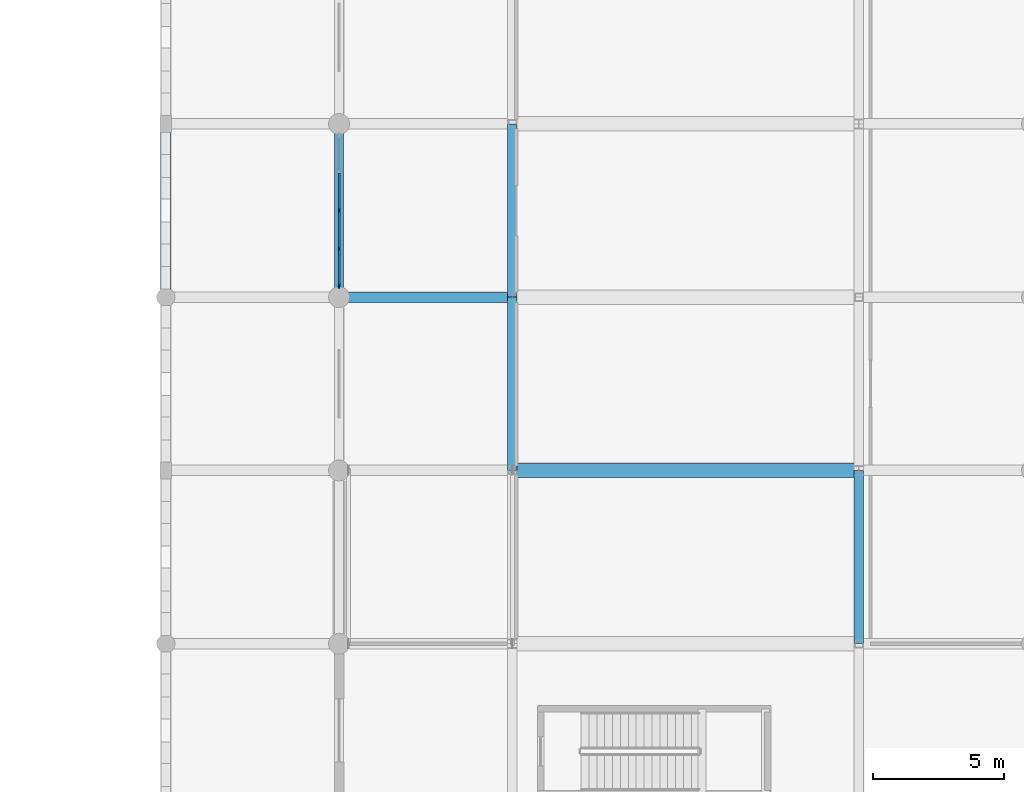
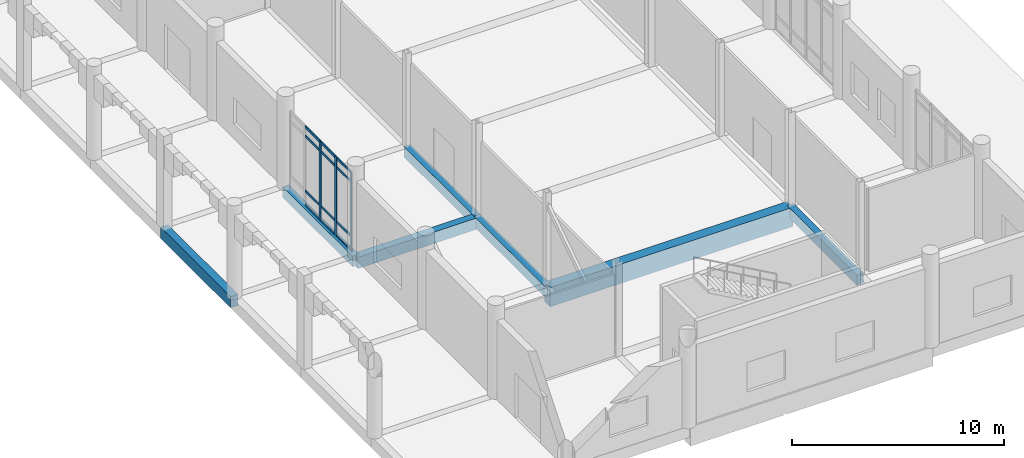
# One storey, part 8 of 72: 15 members, 7 beams, 1 element without a shape of its own.
"""IFC4 building model written with IfcOpenShell, lengths in metres."""

from ifc_helpers import new_model, si_unit, direction, frame, origin, origin_2d, place, context, subcontext, project, spatial, rectangle, extrude, material, material_profile, profile_set, type_object, element, aggregate, save


model = new_model("IFC4")

# Units and contexts
model_context = context("Model", 3, precision=1e-05, world=origin(), true_north=direction((0.0, 1.0)))
body_context = subcontext(model_context, "Body", "Model", "MODEL_VIEW")
ifc_project = project(units=[si_unit("LENGTHUNIT", "METRE"), si_unit("AREAUNIT", "SQUARE_METRE"), si_unit("VOLUMEUNIT", "CUBIC_METRE"), si_unit("PLANEANGLEUNIT", "RADIAN"), si_unit("MASSUNIT", "GRAM", prefix="KILO")], contexts=[model_context])

# Site, building, storey
site_placement = place(None, origin())
site = spatial("IfcSite", under=ifc_project, at=site_placement, CompositionType="ELEMENT")
building_placement = place(site_placement, origin())
building = spatial("IfcBuilding", under=site, at=building_placement, Name="Dornvale Research Institute", CompositionType="ELEMENT")
storey_placement = place(building_placement, origin())
storey = spatial("IfcBuildingStorey", under=building, at=storey_placement, Name="L00", CompositionType="ELEMENT", Elevation=0.0)

# Beams
ifc_material_1 = material(Name="Concrete f'c 45 MPa (C35/45)", Category="concrete")
ifc_material_profile_1 = material_profile(ifc_material_1, rectangle(XDim=0.35009765625, YDim=0.60009765625, at=origin_2d()), Name="RC 350x600")
ifc_profile_set_1 = profile_set([ifc_material_profile_1], Name="Concrete f'c 45 MPa (C35/45)")
beam_type_1 = type_object("IfcBeamType", Name="Beam_RC350x600_Floor", PredefinedType="BEAM", material=ifc_profile_set_1)
beam_1_placement = place(storey_placement, frame((39.60009765625, 59.39990234375, -0.300048828125), z_axis=(0.0, 1.0, 0.0), x_axis=(-1.0, 0.0, 0.0)))
element("IfcBeam", 1, at=beam_1_placement, inside=storey, type_object=beam_type_1, Name="L00 transverse girder #243", PredefinedType="BEAM", context=body_context, shape_type="SweptSolid", body=[
    extrude(rectangle(XDim=0.35009765625, YDim=0.60009765625, at=origin_2d()), origin(), (0.0, 0.0, 1.0), 6.60009765625),
])
beam_2_placement = place(storey_placement, frame((46.199951171875, 52.800048828125, -0.300048828125), z_axis=(0.0, 1.0, 0.0), x_axis=(-1.0, 0.0, 0.0)))
element("IfcBeam", 2, at=beam_2_placement, inside=storey, type_object=beam_type_1, Name="L00 transverse girder #249", PredefinedType="BEAM", context=body_context, shape_type="SweptSolid", body=[
    extrude(rectangle(XDim=0.35009765625, YDim=0.60009765625, at=origin_2d()), origin(), (0.0, 0.0, 1.0), 6.599853515625),
])
for number, where, z_axis, x_axis, name in (
    (3, (46.199951171875, 59.39990234375, -0.300048828125), (0.0, 1.0, 0.0), (-1.0, 0.0, 0.0), "L00 transverse girder #250"),
    (4, (59.39990234375, 46.199951171875, -0.300048828125), (0.0, 1.0, 0.0), (-1.0, 0.0, 0.0), "L00 transverse girder #255"),
):
    element("IfcBeam", number, at=place(storey_placement, frame(where, z_axis=z_axis, x_axis=x_axis)), inside=storey, type_object=beam_type_1, Name=name, PredefinedType="BEAM", context=body_context, shape_type="SweptSolid", body=[
        extrude(rectangle(XDim=0.35009765625, YDim=0.60009765625, at=origin_2d()), origin(), (0.0, 0.0, 1.0), 6.60009765625),
    ])
ifc_material_2 = material(Name="Concrete f'c 45 MPa (C35/45)", Category="concrete")
ifc_material_profile_2 = material_profile(ifc_material_2, rectangle(XDim=0.39990234375, YDim=0.64990234375, at=origin_2d()), Name="RC 400x650")
ifc_profile_set_2 = profile_set([ifc_material_profile_2], Name="Concrete f'c 45 MPa (C35/45)")
beam_type_2 = type_object("IfcBeamType", Name="Beam_RC400x650_Floor", PredefinedType="BEAM", material=ifc_profile_set_2)
beam_3_placement = place(storey_placement, frame((39.60009765625, 59.39990234375, -0.324951171875), z_axis=(1.0, 0.0, 0.0), x_axis=(0.0, 1.0, 0.0)))
element("IfcBeam", 5, at=beam_3_placement, inside=storey, type_object=beam_type_2, Name="L00 primary girder #225", PredefinedType="BEAM", context=body_context, shape_type="SweptSolid", body=[
    extrude(rectangle(XDim=0.39990234375, YDim=0.64990234375, at=origin_2d()), origin(), (0.0, 0.0, 1.0), 6.599853515625),
])
beam_4_placement = place(storey_placement, frame((33.0, 59.39990234375, -0.324951171875), z_axis=(0.0, 1.0, 0.0), x_axis=(-1.0, 0.0, 0.0)))
element("IfcBeam", 6, at=beam_4_placement, inside=storey, type_object=beam_type_2, Name="L00 arcade grade beam #1872", PredefinedType="BEAM", context=body_context, shape_type="SweptSolid", body=[
    extrude(rectangle(XDim=0.39990234375, YDim=0.64990234375, at=origin_2d()), origin(), (0.0, 0.0, 1.0), 6.60009765625),
])
ifc_material_3 = material(Name="Concrete f'c 45 MPa (C35/45)", Category="concrete")
ifc_material_profile_3 = material_profile(ifc_material_3, rectangle(XDim=0.550048828125, YDim=1.10009765625, at=origin_2d()), Name="RC 550x1100")
ifc_profile_set_3 = profile_set([ifc_material_profile_3], Name="Concrete f'c 45 MPa (C35/45)")
beam_type_3 = type_object("IfcBeamType", Name="Beam_RC550x1100_Girder", PredefinedType="BEAM", material=ifc_profile_set_3)
beam_5_placement = place(storey_placement, frame((46.199951171875, 52.800048828125, -0.550048828125), z_axis=(1.0, 0.0, 0.0), x_axis=(0.0, 1.0, 0.0)))
element("IfcBeam", 7, at=beam_5_placement, inside=storey, type_object=beam_type_3, Name="L00 primary girder #223", PredefinedType="BEAM", context=body_context, shape_type="SweptSolid", body=[
    extrude(rectangle(XDim=0.550048828125, YDim=1.10009765625, at=origin_2d()), origin(), (0.0, 0.0, 1.0), 13.199951171875),
])

# Curtain wall, members
ifc_material_4 = material(Name="Low-E Argon Double Insulating Glazing Unit", Category="glass")
curtain_wall_type = type_object("IfcCurtainWallType", Name="UnitisedCurtainWall_V2_5810x4550", PredefinedType="USERDEFINED", material=ifc_material_4)
curtain_wall_placement = place(storey_placement, origin())
curtain_wall = element("IfcCurtainWall", 8, at=curtain_wall_placement, inside=storey, type_object=curtain_wall_type, Name="L00 V2 unitised curtain wall CW-01 #1", ObjectType="UNITISED CURTAIN WALL", PredefinedType="USERDEFINED")
ifc_material_5 = material(Name="Anodized Aluminum AA 6063-T6 Thermally Broken Frame", Category="aluminium")
ifc_material_profile_4 = material_profile(ifc_material_5, rectangle(XDim=0.06494140625, YDim=0.1650390625, at=origin_2d()), Name="ALU MULLION 65x165")
ifc_profile_set_4 = profile_set([ifc_material_profile_4], Name="Anodized Aluminum AA 6063-T6 Thermally Broken Frame")
member_type_1 = type_object("IfcMemberType", Name="Mullion_Atrium_65x165", PredefinedType="MULLION", material=ifc_profile_set_4)
member_1_placement = place(storey_placement, frame((39.60009765625, 59.827392578125, 0.0), z_axis=(0.0, 0.0, 1.0), x_axis=(-1.0, 0.0, 0.0)))
member_1 = element("IfcMember", 9, at=member_1_placement, type_object=member_type_1, Name="CW-01 mullion 1", PredefinedType="MULLION", context=body_context, shape_type="SweptSolid", body=[
    extrude(rectangle(XDim=0.06494140625, YDim=0.1650390625, at=origin_2d()), origin(), (0.0, 0.0, 1.0), 4.550048828125),
])
member_2_placement = place(storey_placement, frame((39.60009765625, 61.24755859375, 0.0), z_axis=(0.0, 0.0, 1.0), x_axis=(-1.0, 0.0, 0.0)))
member_2 = element("IfcMember", 10, at=member_2_placement, type_object=member_type_1, Name="CW-01 mullion 2", PredefinedType="MULLION", context=body_context, shape_type="SweptSolid", body=[
    extrude(rectangle(XDim=0.06494140625, YDim=0.1650390625, at=origin_2d()), origin(), (0.0, 0.0, 1.0), 4.550048828125),
])
member_3_placement = place(storey_placement, frame((39.60009765625, 62.699951171875, 0.0), z_axis=(0.0, 0.0, 1.0), x_axis=(-1.0, 0.0, 0.0)))
member_3 = element("IfcMember", 11, at=member_3_placement, type_object=member_type_1, Name="CW-01 mullion 3", PredefinedType="MULLION", context=body_context, shape_type="SweptSolid", body=[
    extrude(rectangle(XDim=0.06494140625, YDim=0.1650390625, at=origin_2d()), origin(), (0.0, 0.0, 1.0), 4.550048828125),
])
ifc_material_6 = material(Name="Anodized Aluminum AA 6063-T6 Thermally Broken Frame", Category="aluminium")
ifc_material_profile_5 = material_profile(ifc_material_6, rectangle(XDim=0.06494140625, YDim=0.135009765625, at=origin_2d()), Name="ALU TRANSOM 65x135")
ifc_profile_set_5 = profile_set([ifc_material_profile_5], Name="Anodized Aluminum AA 6063-T6 Thermally Broken Frame")
member_type_2 = type_object("IfcMemberType", Name="Transom_CW_65x135", PredefinedType="USERDEFINED", material=ifc_profile_set_5)
member_4_placement = place(storey_placement, frame((39.60009765625, 59.860107421875, 0.032470703125), z_axis=(0.0, 1.0, 0.0), x_axis=(-1.0, 0.0, 0.0)))
member_4 = element("IfcMember", 12, at=member_4_placement, type_object=member_type_2, Name="CW-01 transom 1.1", ObjectType="TRANSOM", PredefinedType="USERDEFINED", context=body_context, shape_type="SweptSolid", body=[
    extrude(rectangle(XDim=0.06494140625, YDim=0.135009765625, at=origin_2d()), origin(), (0.0, 0.0, 1.0), 1.35498046875),
])
member_5_placement = place(storey_placement, frame((39.60009765625, 59.860107421875, 0.85009765625), z_axis=(0.0, 1.0, 0.0), x_axis=(-1.0, 0.0, 0.0)))
member_5 = element("IfcMember", 13, at=member_5_placement, type_object=member_type_2, Name="CW-01 transom 1.2", ObjectType="TRANSOM", PredefinedType="USERDEFINED", context=body_context, shape_type="SweptSolid", body=[
    extrude(rectangle(XDim=0.06494140625, YDim=0.135009765625, at=origin_2d()), origin(), (0.0, 0.0, 1.0), 1.35498046875),
])
member_6_placement = place(storey_placement, frame((39.60009765625, 59.860107421875, 4.0), z_axis=(0.0, 1.0, 0.0), x_axis=(-1.0, 0.0, 0.0)))
member_6 = element("IfcMember", 14, at=member_6_placement, type_object=member_type_2, Name="CW-01 transom 1.3", ObjectType="TRANSOM", PredefinedType="USERDEFINED", context=body_context, shape_type="SweptSolid", body=[
    extrude(rectangle(XDim=0.06494140625, YDim=0.135009765625, at=origin_2d()), origin(), (0.0, 0.0, 1.0), 1.35498046875),
])
member_7_placement = place(storey_placement, frame((39.60009765625, 59.860107421875, 4.517578125), z_axis=(0.0, 1.0, 0.0), x_axis=(-1.0, 0.0, 0.0)))
member_7 = element("IfcMember", 15, at=member_7_placement, type_object=member_type_2, Name="CW-01 transom 1.4", ObjectType="TRANSOM", PredefinedType="USERDEFINED", context=body_context, shape_type="SweptSolid", body=[
    extrude(rectangle(XDim=0.06494140625, YDim=0.135009765625, at=origin_2d()), origin(), (0.0, 0.0, 1.0), 1.35498046875),
])
member_8_placement = place(storey_placement, frame((39.60009765625, 61.280029296875, 0.032470703125), z_axis=(0.0, 1.0, 0.0), x_axis=(-1.0, 0.0, 0.0)))
member_8 = element("IfcMember", 16, at=member_8_placement, type_object=member_type_2, Name="CW-01 transom 2.1", ObjectType="TRANSOM", PredefinedType="USERDEFINED", context=body_context, shape_type="SweptSolid", body=[
    extrude(rectangle(XDim=0.06494140625, YDim=0.135009765625, at=origin_2d()), origin(), (0.0, 0.0, 1.0), 1.387451171875),
])
member_9_placement = place(storey_placement, frame((39.60009765625, 61.280029296875, 0.85009765625), z_axis=(0.0, 1.0, 0.0), x_axis=(-1.0, 0.0, 0.0)))
member_9 = element("IfcMember", 17, at=member_9_placement, type_object=member_type_2, Name="CW-01 transom 2.2", ObjectType="TRANSOM", PredefinedType="USERDEFINED", context=body_context, shape_type="SweptSolid", body=[
    extrude(rectangle(XDim=0.06494140625, YDim=0.135009765625, at=origin_2d()), origin(), (0.0, 0.0, 1.0), 1.387451171875),
])
member_10_placement = place(storey_placement, frame((39.60009765625, 61.280029296875, 4.0), z_axis=(0.0, 1.0, 0.0), x_axis=(-1.0, 0.0, 0.0)))
member_10 = element("IfcMember", 18, at=member_10_placement, type_object=member_type_2, Name="CW-01 transom 2.3", ObjectType="TRANSOM", PredefinedType="USERDEFINED", context=body_context, shape_type="SweptSolid", body=[
    extrude(rectangle(XDim=0.06494140625, YDim=0.135009765625, at=origin_2d()), origin(), (0.0, 0.0, 1.0), 1.387451171875),
])
member_11_placement = place(storey_placement, frame((39.60009765625, 61.280029296875, 4.517578125), z_axis=(0.0, 1.0, 0.0), x_axis=(-1.0, 0.0, 0.0)))
member_11 = element("IfcMember", 19, at=member_11_placement, type_object=member_type_2, Name="CW-01 transom 2.4", ObjectType="TRANSOM", PredefinedType="USERDEFINED", context=body_context, shape_type="SweptSolid", body=[
    extrude(rectangle(XDim=0.06494140625, YDim=0.135009765625, at=origin_2d()), origin(), (0.0, 0.0, 1.0), 1.387451171875),
])
member_12_placement = place(storey_placement, frame((39.60009765625, 62.732421875, 0.032470703125), z_axis=(0.0, 1.0, 0.0), x_axis=(-1.0, 0.0, 0.0)))
member_12 = element("IfcMember", 20, at=member_12_placement, type_object=member_type_2, Name="CW-01 transom 3.1", ObjectType="TRANSOM", PredefinedType="USERDEFINED", context=body_context, shape_type="SweptSolid", body=[
    extrude(rectangle(XDim=0.06494140625, YDim=0.135009765625, at=origin_2d()), origin(), (0.0, 0.0, 1.0), 1.3876953125),
])
member_13_placement = place(storey_placement, frame((39.60009765625, 62.732421875, 0.85009765625), z_axis=(0.0, 1.0, 0.0), x_axis=(-1.0, 0.0, 0.0)))
member_13 = element("IfcMember", 21, at=member_13_placement, type_object=member_type_2, Name="CW-01 transom 3.2", ObjectType="TRANSOM", PredefinedType="USERDEFINED", context=body_context, shape_type="SweptSolid", body=[
    extrude(rectangle(XDim=0.06494140625, YDim=0.135009765625, at=origin_2d()), origin(), (0.0, 0.0, 1.0), 1.3876953125),
])
member_14_placement = place(storey_placement, frame((39.60009765625, 62.732421875, 4.0), z_axis=(0.0, 1.0, 0.0), x_axis=(-1.0, 0.0, 0.0)))
member_14 = element("IfcMember", 22, at=member_14_placement, type_object=member_type_2, Name="CW-01 transom 3.3", ObjectType="TRANSOM", PredefinedType="USERDEFINED", context=body_context, shape_type="SweptSolid", body=[
    extrude(rectangle(XDim=0.06494140625, YDim=0.135009765625, at=origin_2d()), origin(), (0.0, 0.0, 1.0), 1.3876953125),
])
member_15_placement = place(storey_placement, frame((39.60009765625, 62.732421875, 4.517578125), z_axis=(0.0, 1.0, 0.0), x_axis=(-1.0, 0.0, 0.0)))
member_15 = element("IfcMember", 23, at=member_15_placement, type_object=member_type_2, Name="CW-01 transom 3.4", ObjectType="TRANSOM", PredefinedType="USERDEFINED", context=body_context, shape_type="SweptSolid", body=[
    extrude(rectangle(XDim=0.06494140625, YDim=0.135009765625, at=origin_2d()), origin(), (0.0, 0.0, 1.0), 1.3876953125),
])
aggregate(curtain_wall, [member_1, member_2, member_3, member_4, member_5, member_6, member_7, member_8, member_9, member_10, member_11, member_12, member_13, member_14, member_15])

save(model, "model.ifc")
